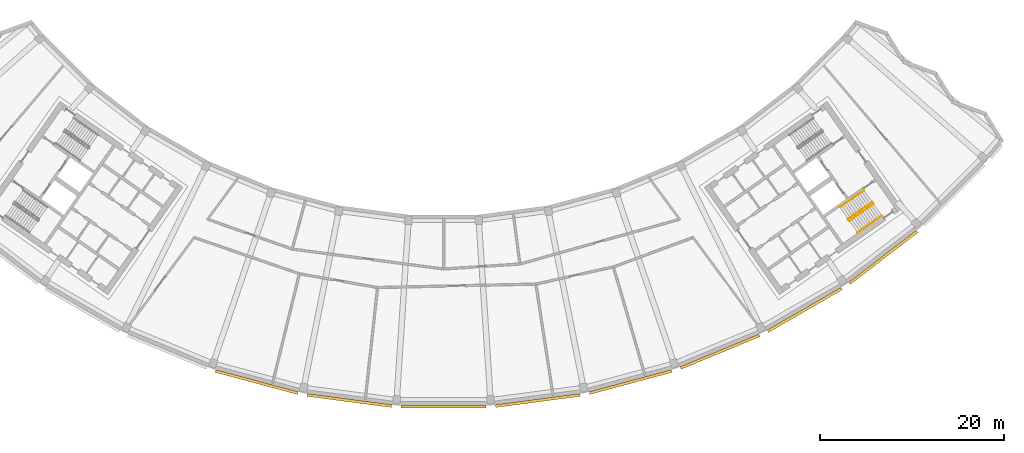
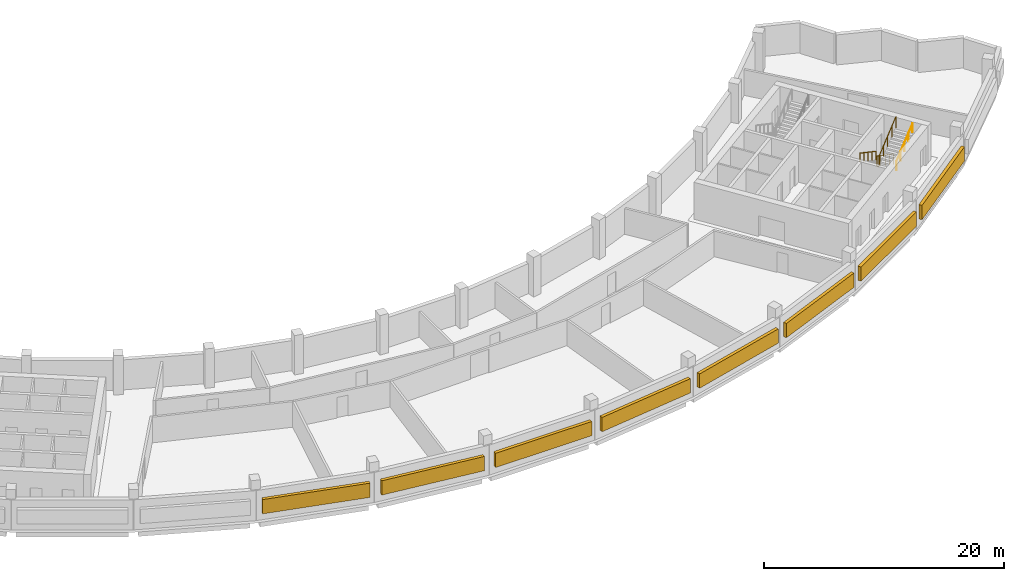
# One storey, part 10 of 11: 8 shading devices, 4 railings.
"""IFC4 building model written with IfcOpenShell, lengths in metres."""

from ifc_helpers import new_model, si_unit, direction, frame, origin, origin_2d, place, context, subcontext, project, spatial, rectangle, circle, extrude, material, type_object, element, save


model = new_model("IFC4")

# Units and contexts
model_context = context("Model", 3, precision=1e-05, world=origin(), true_north=direction((0.0, 1.0)))
body_context = subcontext(model_context, "Body", "Model", "MODEL_VIEW")
ifc_project = project(units=[si_unit("LENGTHUNIT", "METRE"), si_unit("AREAUNIT", "SQUARE_METRE"), si_unit("VOLUMEUNIT", "CUBIC_METRE"), si_unit("PLANEANGLEUNIT", "RADIAN"), si_unit("MASSUNIT", "GRAM", prefix="KILO")], contexts=[model_context])

# Site, building, storey
site_placement = place(None, origin())
site = spatial("IfcSite", under=ifc_project, at=site_placement, CompositionType="ELEMENT")
building_placement = place(site_placement, origin())
building = spatial("IfcBuilding", under=site, at=building_placement, Name="Qamariyya Broadcast Tower", CompositionType="ELEMENT")
storey_placement = place(building_placement, frame((0.0, 0.0, 302.699951171875)))
storey = spatial("IfcBuildingStorey", under=building, at=storey_placement, Name="L73", CompositionType="ELEMENT", Elevation=302.699951171875)

# Railings
ifc_material_1 = material(Name="Painted steel", Category="steel")
railing_type_1 = type_object("IfcRailingType", Name="Stair guard", PredefinedType="GUARDRAIL", material=ifc_material_1)
railing_1_placement = place(storey_placement, frame((46.48095703125, -56.14306640625, 0.166748046875)))
element("IfcRailing", 1, at=railing_1_placement, inside=storey, type_object=railing_type_1, Name="L73 ST-E1 stair guard 1", PredefinedType="GUARDRAIL", context=body_context, shape_type="SweptSolid", body=[
    extrude(circle(Radius=0.02392578125, at=origin_2d()), frame((0.0, 0.0, 1.076171875), z_axis=(-0.710227693972, -0.497285465629, 0.498280832854), x_axis=(0.573559936391, -0.819163597438, 0.0)), (0.0, 0.0, 1.0), 3.67919921875),
    extrude(circle(Radius=0.02392578125, at=origin_2d()), frame((-2.613037109375, -1.82958984375, 2.9091796875), z_axis=(-0.176149252506, -0.984363469884, 0.0), x_axis=(0.984363469884, -0.176149252506, 0.0)), (0.0, 0.0, 1.0), 0.07080078125),
    extrude(circle(Radius=0.02392578125, at=origin_2d()), frame((-2.62548828125, -1.899169921875, 2.9091796875), z_axis=(0.57368046593, -0.819079192149, 0.0), x_axis=(0.819079192149, 0.57368046593, 0.0)), (0.0, 0.0, 1.0), 0.150146484375),
    extrude(circle(Radius=0.02099609375, at=origin_2d()), origin(), (0.0, 0.0, 1.0), 1.052001953125),
    extrude(circle(Radius=0.02099609375, at=origin_2d()), frame((-0.6533203125, -0.45751953125, 0.458251953125)), (0.0, 0.0, 1.0), 1.052001953125),
    extrude(circle(Radius=0.02099609375, at=origin_2d()), frame((-1.306640625, -0.914794921875, 0.91650390625)), (0.0, 0.0, 1.0), 1.052001953125),
    extrude(circle(Radius=0.02099609375, at=origin_2d()), frame((-1.959716796875, -1.3720703125, 1.375)), (0.0, 0.0, 1.0), 1.052001953125),
    extrude(circle(Radius=0.02099609375, at=origin_2d()), frame((-2.613037109375, -1.82958984375, 1.833251953125)), (0.0, 0.0, 1.0), 1.052001953125),
    extrude(circle(Radius=0.02099609375, at=origin_2d()), frame((-2.62548828125, -1.899169921875, 1.833251953125)), (0.0, 0.0, 1.0), 1.052001953125),
    extrude(circle(Radius=0.02099609375, at=origin_2d()), frame((-2.539306640625, -2.022216796875, 1.833251953125)), (0.0, 0.0, 1.0), 1.052001953125),
])
railing_2_placement = place(storey_placement, frame((44.01123046875, -58.177490234375, 2.166748046875)))
element("IfcRailing", 2, at=railing_2_placement, inside=storey, type_object=railing_type_1, Name="L73 ST-E1 stair guard 2", PredefinedType="GUARDRAIL", context=body_context, shape_type="SweptSolid", body=[
    extrude(circle(Radius=0.02392578125, at=origin_2d()), frame((0.0, 0.0, 1.076171875), z_axis=(0.710204256923, 0.497335411159, 0.498264389913), x_axis=(-0.573611290809, 0.819127637829, 0.0)), (0.0, 0.0, 1.0), 3.67919921875),
    extrude(circle(Radius=0.02099609375, at=origin_2d()), origin(), (0.0, 0.0, 1.0), 1.052001953125),
    extrude(circle(Radius=0.02099609375, at=origin_2d()), frame((0.6533203125, 0.45751953125, 0.458251953125)), (0.0, 0.0, 1.0), 1.052001953125),
    extrude(circle(Radius=0.02099609375, at=origin_2d()), frame((1.306640625, 0.9150390625, 0.91650390625)), (0.0, 0.0, 1.0), 1.052001953125),
    extrude(circle(Radius=0.02099609375, at=origin_2d()), frame((1.959716796875, 1.372314453125, 1.375)), (0.0, 0.0, 1.0), 1.052001953125),
    extrude(circle(Radius=0.02099609375, at=origin_2d()), frame((2.613037109375, 1.829833984375, 1.833251953125)), (0.0, 0.0, 1.0), 1.052001953125),
])
ifc_material_2 = material(Name="Stainless steel", Category="steel")
railing_type_2 = type_object("IfcRailingType", Name="Stair handrail", PredefinedType="HANDRAIL", material=ifc_material_2)
railing_3_placement = place(storey_placement, frame((45.591796875, -54.873291015625, 0.166748046875)))
element("IfcRailing", 3, at=railing_3_placement, inside=storey, type_object=railing_type_2, Name="L73 ST-E1 stair handrail 1", PredefinedType="HANDRAIL", context=body_context, shape_type="SweptSolid", body=[
    extrude(circle(Radius=0.02392578125, at=origin_2d()), frame((0.0, 0.0, 0.8759765625), z_axis=(-0.710227693972, -0.497285465629, 0.498280832854), x_axis=(0.573559936391, -0.819163597438, 0.0)), (0.0, 0.0, 1.0), 3.67919921875),
    extrude(circle(Radius=0.02099609375, at=origin_2d()), origin(), (0.0, 0.0, 1.0), 0.851806640625),
    extrude(circle(Radius=0.02099609375, at=origin_2d()), frame((-0.6533203125, -0.45751953125, 0.458251953125)), (0.0, 0.0, 1.0), 0.851806640625),
    extrude(circle(Radius=0.02099609375, at=origin_2d()), frame((-1.306640625, -0.914794921875, 0.91650390625)), (0.0, 0.0, 1.0), 0.851806640625),
    extrude(circle(Radius=0.02099609375, at=origin_2d()), frame((-1.959716796875, -1.3720703125, 1.375)), (0.0, 0.0, 1.0), 0.851806640625),
    extrude(circle(Radius=0.02099609375, at=origin_2d()), frame((-2.613037109375, -1.82958984375, 1.833251953125)), (0.0, 0.0, 1.0), 0.851806640625),
])
railing_4_placement = place(storey_placement, frame((44.900390625, -59.447265625, 2.166748046875)))
element("IfcRailing", 4, at=railing_4_placement, inside=storey, type_object=railing_type_2, Name="L73 ST-E1 stair handrail 2", PredefinedType="HANDRAIL", context=body_context, shape_type="SweptSolid", body=[
    extrude(circle(Radius=0.02392578125, at=origin_2d()), frame((0.0, 0.0, 0.8759765625), z_axis=(0.710204256923, 0.497335411159, 0.498264389913), x_axis=(-0.573611290809, 0.819127637829, 0.0)), (0.0, 0.0, 1.0), 3.67919921875),
    extrude(circle(Radius=0.02099609375, at=origin_2d()), origin(), (0.0, 0.0, 1.0), 0.851806640625),
    extrude(circle(Radius=0.02099609375, at=origin_2d()), frame((0.6533203125, 0.45751953125, 0.458251953125)), (0.0, 0.0, 1.0), 0.851806640625),
    extrude(circle(Radius=0.02099609375, at=origin_2d()), frame((1.306640625, 0.9150390625, 0.91650390625)), (0.0, 0.0, 1.0), 0.851806640625),
    extrude(circle(Radius=0.02099609375, at=origin_2d()), frame((1.959716796875, 1.372314453125, 1.375)), (0.0, 0.0, 1.0), 0.851806640625),
    extrude(circle(Radius=0.02099609375, at=origin_2d()), frame((2.613037109375, 1.829833984375, 1.833251953125)), (0.0, 0.0, 1.0), 0.851806640625),
])

# Shading devices
ifc_material_3 = material(Name="Glazed terracotta", Category="masonry")
shading_device_type = type_object("IfcShadingDeviceType", Name="Terracotta louvre bank", PredefinedType="USERDEFINED", material=ifc_material_3)
for number, where, z_axis, x_axis, name in (
    (5, (-20.27392578125, -75.6630859375, 0.80029296875), (0.0, 0.0, 1.0), (0.965925826289, -0.258819045103, 0.0), "e-lv-L73-05"),
    (6, (-10.224365234375, -77.662109375, 0.80029296875), (0.0, 0.0, 1.0), (0.991444861374, -0.13052619222, 0.0), "e-lv-L73-06"),
    (7, (0.0, -78.332275390625, 0.80029296875), (0.0, 0.0, 1.0), (1.0, 0.0, 0.0), "e-lv-L73-07"),
    (8, (10.224365234375, -77.662109375, 0.80029296875), (0.0, 0.0, 1.0), (0.991444861374, 0.13052619222, 0.0), "e-lv-L73-08"),
    (9, (20.27392578125, -75.6630859375, 0.80029296875), (0.0, 0.0, 1.0), (0.965925826289, 0.258819045103, 0.0), "e-lv-L73-09"),
    (10, (29.9765625, -72.36962890625, 0.80029296875), (0.0, 0.0, 1.0), (0.923879532511, 0.382683432365, 0.0), "e-lv-L73-10"),
    (11, (39.166015625, -67.837646484375, 0.80029296875), (0.0, 0.0, 1.0), (0.866025403784, 0.5, 0.0), "e-lv-L73-11"),
    (12, (47.685546875, -62.145263671875, 0.80029296875), (0.0, 0.0, 1.0), (0.793353340291, 0.608761429009, 0.0), "e-lv-L73-12"),
):
    element("IfcShadingDevice", number, at=place(storey_placement, frame(where, z_axis=z_axis, x_axis=x_axis)), inside=storey, type_object=shading_device_type, Name=name, ObjectType="LOUVRE", PredefinedType="USERDEFINED", context=body_context, shape_type="SweptSolid", body=[
        extrude(rectangle(XDim=9.248779296875, YDim=0.300048828125, at=origin_2d()), origin(), (0.0, 0.0, 1.0), 1.449951171875),
    ])

save(model, "model.ifc")
